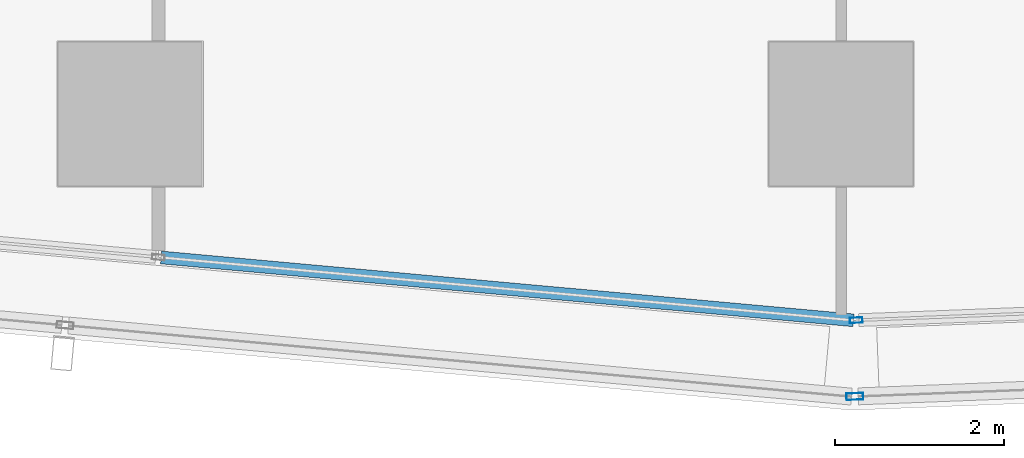
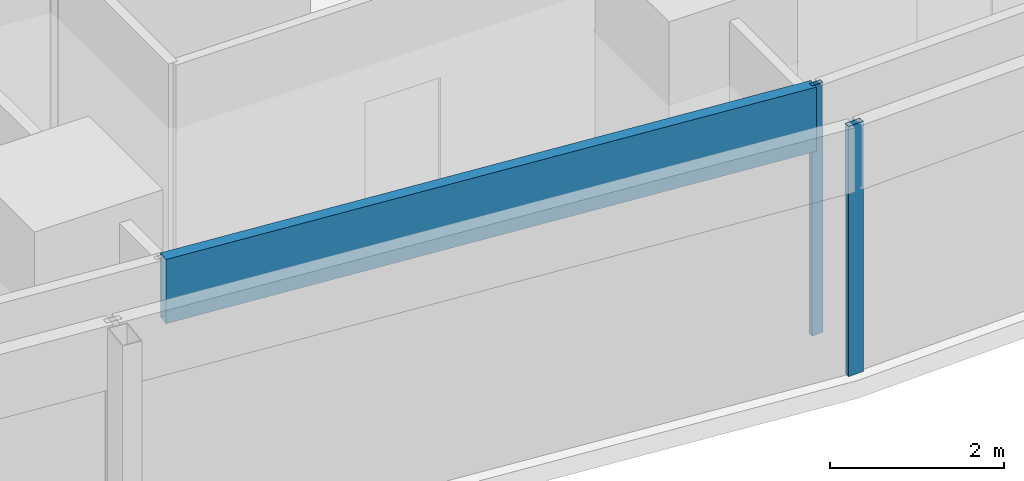
# One storey, part 5 of 40: 3 members, 3 elements without a shape of their own.
"""IFC4 building model written with IfcOpenShell, lengths in metres."""

import ifcopenshell
import ifcopenshell.guid

model = None  # the IFC model being written
_history = None  # IfcOwnerHistory: only IFC2X3 demands one
_inside = {}  # id of a spatial element -> (the spatial element, [elements in it])
_under = {}  # id of a project, library or spatial element -> (it, [spatial elements below it])
_declared = {}  # id of a project -> (the project, [libraries it declares])
_typed = {}  # id of a type object -> (the type object, [elements of that type])
_made_of = {}  # id of a material, layer set ... -> (it, [elements and type objects made of it])


def new_model(schema):
    """Start an empty IFC model of exactly this schema.

    Asked for "IFC4X3", IfcOpenShell would pick the latest addendum, in which some entities
    have other attributes; the version numbers below select the first issue.
    IFC2X3 requires an IfcOwnerHistory on every rooted entity: one is made here for all.
    """
    global model, _history
    if schema == "IFC4X3":
        model = ifcopenshell.file(schema_version=(4, 3, 0, 0))
    else:
        model = ifcopenshell.file(schema=schema)
    _inside.clear()
    _under.clear()
    _declared.clear()
    _typed.clear()
    _made_of.clear()
    _history = None
    if model.schema == "IFC2X3":
        org = make("IfcOrganization", Name="unknown")
        user = make(
            "IfcPersonAndOrganization",
            ThePerson=make("IfcPerson", FamilyName="unknown"),
            TheOrganization=org,
        )
        app = make(
            "IfcApplication",
            ApplicationDeveloper=org,
            Version="unknown",
            ApplicationFullName="unknown",
            ApplicationIdentifier="unknown",
        )
        _history = make(
            "IfcOwnerHistory",
            OwningUser=user,
            OwningApplication=app,
            ChangeAction="ADDED",
            CreationDate=0,
        )
    return model


def make(cls, **values):
    """One entity of the class cls with the attributes given. An attribute that is None is left unset."""
    return model.create_entity(
        cls, **{name: value for name, value in values.items() if value is not None}
    )


def rooted(cls, **values):
    """An entity with a GlobalId (a new one), such as an element, a storey or a relation."""
    return make(cls, GlobalId=ifcopenshell.guid.new(), OwnerHistory=_history, **values)


def si_unit(unit_type, name, prefix=None):
    """IfcSIUnit, for example si_unit("LENGTHUNIT", "METRE", prefix="MILLI")."""
    return make("IfcSIUnit", UnitType=unit_type, Prefix=prefix, Name=name)


def assignment(units):
    """IfcUnitAssignment: the units of a project."""
    return None if units is None else make("IfcUnitAssignment", Units=units)


def point(xyz):
    """IfcCartesianPoint."""
    return None if xyz is None else make("IfcCartesianPoint", Coordinates=xyz)


def direction(xyz):
    """IfcDirection."""
    return None if xyz is None else make("IfcDirection", DirectionRatios=xyz)


def frame(location, z_axis=None, x_axis=None):
    """IfcAxis2Placement3D, a coordinate frame: its origin and axes. An axis left out is left unset."""
    return make(
        "IfcAxis2Placement3D",
        Location=point(location),
        Axis=direction(z_axis),
        RefDirection=direction(x_axis),
    )


def frame_2d(location, x_axis=None):
    """IfcAxis2Placement2D, a coordinate frame in the plane: its origin and x axis."""
    return make(
        "IfcAxis2Placement2D", Location=point(location), RefDirection=direction(x_axis)
    )


def origin():
    """The frame at (0, 0, 0) with its axes left unset."""
    return frame((0.0, 0.0, 0.0))


def origin_2d():
    """The frame at (0, 0) in the plane with its x axis left unset."""
    return frame_2d((0.0, 0.0))


def place(relative_to, where):
    """IfcLocalPlacement: puts the frame where relative to a parent placement (None: the world)."""
    return make(
        "IfcLocalPlacement", PlacementRelTo=relative_to, RelativePlacement=where
    )


def context(
    kind, dimensions, precision=None, world=None, true_north=None, identifier=None
):
    """IfcGeometricRepresentationContext, for example the 3D "Model" context."""
    return make(
        "IfcGeometricRepresentationContext",
        ContextIdentifier=identifier,
        ContextType=kind,
        CoordinateSpaceDimension=dimensions,
        Precision=precision,
        WorldCoordinateSystem=world,
        TrueNorth=true_north,
    )


def subcontext(parent, identifier, kind, view, scale=None):
    """IfcGeometricRepresentationSubContext, for example "Body" below "Model"."""
    return make(
        "IfcGeometricRepresentationSubContext",
        ContextIdentifier=identifier,
        ContextType=kind,
        ParentContext=parent,
        TargetScale=scale,
        TargetView=view,
    )


def project(units=None, contexts=None):
    """IfcProject with its units and contexts."""
    return rooted(
        "IfcProject",
        Name="project",
        RepresentationContexts=contexts,
        UnitsInContext=assignment(units),
    )


def spatial(cls, under=None, at=None, **own):
    """A site, building, storey or space (cls), placed at a placement, below another one or the project."""
    s = rooted(cls, ObjectPlacement=at, **own)
    if under is not None:
        _under.setdefault(under.id(), (under, []))[1].append(s)
    return s


def profile(cls, at=None, kind="AREA", **sizes):
    """A parametric profile (cls). Its sizes go by their IFC names, for example OverallWidth=200.0."""
    return make(cls, ProfileType=kind, Position=at, **sizes)


def hollow_rectangle(**sizes):
    """IfcRectangleHollowProfileDef."""
    return profile("IfcRectangleHollowProfileDef", **sizes)


def extrude(swept, where, along, depth):
    """IfcExtrudedAreaSolid: the profile swept, set in the frame where, extruded along a direction by depth."""
    return make(
        "IfcExtrudedAreaSolid",
        SweptArea=swept,
        Position=where,
        ExtrudedDirection=direction(along),
        Depth=depth,
    )


def shape(context_of_items, identifier, shape_type, items):
    """IfcShapeRepresentation: the items that make up one representation, for example the "Body"."""
    return make(
        "IfcShapeRepresentation",
        ContextOfItems=context_of_items,
        RepresentationIdentifier=identifier,
        RepresentationType=shape_type,
        Items=items,
    )


def material(Name=None, Category=None):
    """IfcMaterial."""
    return make("IfcMaterial", Name=Name, Category=Category)


def material_profile(
    of_material, cross_section, Name=None, Category=None, Priority=None
):
    """IfcMaterialProfile: a cross section and its material."""
    return make(
        "IfcMaterialProfile",
        Name=Name,
        Material=of_material,
        Profile=cross_section,
        Priority=Priority,
        Category=Category,
    )


def profile_set(profiles, Name=None, composite=None):
    """IfcMaterialProfileSet."""
    return make(
        "IfcMaterialProfileSet",
        Name=Name,
        MaterialProfiles=profiles,
        CompositeProfile=composite,
    )


def made_of(thing, what):
    """Note that an element or type object is made of a material, layer set ...; save() writes the relation."""
    if what is not None:
        _made_of.setdefault(what.id(), (what, []))[1].append(thing)
    return thing


def type_object(cls, material=None, **own):
    """A type object (cls), such as IfcWallType, which elements share."""
    return made_of(rooted(cls, **own), material)


def element(
    cls,
    number,
    at=None,
    inside=None,
    cuts=None,
    type_object=None,
    material=None,
    context=None,
    identifier="Body",
    shape_type=None,
    held_by="IfcProductDefinitionShape",
    body=None,
    shapes=None,
    **own,
):
    """One element of the class cls, such as IfcWall. Its Tag is "e" and its number.

    at: its placement. inside: the storey or other place that contains it. cuts: it is an
    opening in that element (IfcRelVoidsElement). A single representation is given by context,
    identifier, shape_type and body (its items); several are given by shapes. held_by: the class
    of the entity that holds the representations. save() writes the other relations.
    """
    e = rooted(cls, Tag="e%d" % number, ObjectPlacement=at, **own)
    if body is not None:
        shapes = [shape(context, identifier, shape_type, body)]
    if shapes is not None:
        e.Representation = make(held_by, Representations=shapes)
    if inside is not None:
        _inside.setdefault(inside.id(), (inside, []))[1].append(e)
    if cuts is not None:
        rooted(
            "IfcRelVoidsElement", RelatingBuildingElement=cuts, RelatedOpeningElement=e
        )
    if type_object is not None:
        _typed.setdefault(type_object.id(), (type_object, []))[1].append(e)
    return made_of(e, material)


def aggregate(whole, parts):
    """IfcRelAggregates: a whole, such as a stair, and the parts it consists of."""
    return rooted("IfcRelAggregates", RelatingObject=whole, RelatedObjects=parts)


def save(model, path):
    """Write the relations noted so far, then the file.

    IfcRelAggregates (storeys below a building ...), IfcRelContainedInSpatialStructure (elements
    in a storey), IfcRelDefinesByType, IfcRelAssociatesMaterial and IfcRelDeclares: one each for
    every whole, place, type object, material and project.
    """
    for whole, parts in _under.values():
        aggregate(whole, parts)
    for where, things in _inside.values():
        rooted(
            "IfcRelContainedInSpatialStructure",
            RelatedElements=things,
            RelatingStructure=where,
        )
    for kind, things in _typed.values():
        rooted("IfcRelDefinesByType", RelatedObjects=things, RelatingType=kind)
    for what, things in _made_of.values():
        rooted("IfcRelAssociatesMaterial", RelatedObjects=things, RelatingMaterial=what)
    for by, libraries in _declared.values():
        rooted("IfcRelDeclares", RelatingContext=by, RelatedDefinitions=libraries)
    model.write(path)


model = new_model("IFC4")

# Units and contexts
model_context = context("Model", 3, precision=1e-05, world=origin(), true_north=direction((0.0, 1.0)))
body_context = subcontext(model_context, "Body", "Model", "MODEL_VIEW")
ifc_project = project(units=[si_unit("LENGTHUNIT", "METRE"), si_unit("AREAUNIT", "SQUARE_METRE"), si_unit("VOLUMEUNIT", "CUBIC_METRE"), si_unit("PLANEANGLEUNIT", "RADIAN"), si_unit("MASSUNIT", "GRAM", prefix="KILO")], contexts=[model_context])

# Site, building, storey
site_placement = place(None, origin())
site = spatial("IfcSite", under=ifc_project, at=site_placement, CompositionType="ELEMENT")
building_placement = place(site_placement, origin())
building = spatial("IfcBuilding", under=site, at=building_placement, Name="Rekha Terrace Tower", CompositionType="ELEMENT")
storey_placement = place(building_placement, frame((0.0, 0.0, 99.050048828125)))
storey = spatial("IfcBuildingStorey", under=building, at=storey_placement, Name="L24", CompositionType="ELEMENT", Elevation=99.050048828125)

# Curtain wall, member
ifc_material_1 = material(Name="Aluminium framing", Category="aluminium")
curtain_wall_type_1 = type_object("IfcCurtainWallType", Name="CW1 double skin inner glazing", PredefinedType="USERDEFINED", material=ifc_material_1)
curtain_wall_1_placement = place(storey_placement, origin())
curtain_wall_1 = element("IfcCurtainWall", 1, at=curtain_wall_1_placement, inside=storey, type_object=curtain_wall_type_1, Name="CW1 double skin inner glazing", ObjectType="DOUBLE SKIN INNER GLAZING", PredefinedType="USERDEFINED")
ifc_material_2 = material(Name="Aluminium mullion section", Category="aluminium")
ifc_material_profile_1 = material_profile(ifc_material_2, hollow_rectangle(XDim=0.06494140625, YDim=0.14990234375, WallThickness=0.00390625, at=origin_2d()), Name="AL RHS 65x150")
ifc_profile_set_1 = profile_set([ifc_material_profile_1], Name="Aluminium mullion section")
member_type_1 = type_object("IfcMemberType", Name="CW1 mullion RHS 65 x 150", PredefinedType="MULLION", material=ifc_profile_set_1)
member_1_placement = place(storey_placement, frame((25.3798828125, 14.363037109375, 0.0), z_axis=(0.0, 0.0, 1.0), x_axis=(-0.038889971345, 0.999243498917, 0.0)))
member_1 = element("IfcMember", 2, at=member_1_placement, type_object=member_type_1, Name="CW1 mullion 1", PredefinedType="MULLION", context=body_context, shape_type="SweptSolid", body=[
    extrude(hollow_rectangle(XDim=0.06494140625, YDim=0.14990234375, WallThickness=0.00390625, at=origin_2d()), origin(), (0.0, 0.0, 1.0), 3.5),
])
aggregate(curtain_wall_1, [member_1])

curtain_wall_2_placement = place(storey_placement, origin())
curtain_wall_2 = element("IfcCurtainWall", 3, at=curtain_wall_2_placement, inside=storey, type_object=curtain_wall_type_1, Name="CW1 double skin inner glazing", ObjectType="DOUBLE SKIN INNER GLAZING", PredefinedType="USERDEFINED")
ifc_material_3 = material(Name="Insulated aluminium spandrel box", Category="aluminium")
ifc_material_profile_2 = material_profile(ifc_material_3, hollow_rectangle(XDim=0.14990234375, YDim=0.89990234375, WallThickness=0.0029296875, at=origin_2d()), Name="AL SPANDREL BOX 150x900")
ifc_profile_set_2 = profile_set([ifc_material_profile_2], Name="Insulated aluminium spandrel box")
member_type_2 = type_object("IfcMemberType", Name="CW1 spandrel transom 150 x 900", PredefinedType="USERDEFINED", material=ifc_profile_set_2)
member_2_placement = place(storey_placement, frame((17.16650390625, 15.104736328125, 3.050048828125), z_axis=(0.995901971759, -0.090439276017, 0.0), x_axis=(0.090439276017, 0.995901971759, 0.0)))
member_2 = element("IfcMember", 4, at=member_2_placement, type_object=member_type_2, Name="CW1 spandrel transom 2", ObjectType="TRANSOM", PredefinedType="USERDEFINED", context=body_context, shape_type="SweptSolid", body=[
    extrude(hollow_rectangle(XDim=0.14990234375, YDim=0.89990234375, WallThickness=0.0029296875, at=origin_2d()), origin(), (0.0, 0.0, 1.0), 8.214599609375),
])
aggregate(curtain_wall_2, [member_2])

curtain_wall_type_2 = type_object("IfcCurtainWallType", Name="CW2 double skin outer glazing", PredefinedType="USERDEFINED", material=ifc_material_1)
curtain_wall_3_placement = place(storey_placement, origin())
curtain_wall_3 = element("IfcCurtainWall", 5, at=curtain_wall_3_placement, inside=storey, type_object=curtain_wall_type_2, Name="CW2 double skin outer glazing", ObjectType="DOUBLE SKIN OUTER GLAZING", PredefinedType="USERDEFINED")
ifc_material_profile_3 = material_profile(ifc_material_2, hollow_rectangle(XDim=0.080078125, YDim=0.199951171875, WallThickness=0.00390625, at=origin_2d()), Name="AL RHS 80x200")
ifc_profile_set_3 = profile_set([ifc_material_profile_3], Name="Aluminium mullion section")
member_type_3 = type_object("IfcMemberType", Name="CW2 mullion RHS 80 x 200", PredefinedType="MULLION", material=ifc_profile_set_3)
member_3_placement = place(storey_placement, frame((25.364013671875, 13.4619140625, 0.0), z_axis=(0.0, 0.0, 1.0), x_axis=(-0.038889971345, 0.999243498917, 0.0)))
member_3 = element("IfcMember", 6, at=member_3_placement, type_object=member_type_3, Name="CW2 mullion 1", PredefinedType="MULLION", context=body_context, shape_type="SweptSolid", body=[
    extrude(hollow_rectangle(XDim=0.080078125, YDim=0.199951171875, WallThickness=0.00390625, at=origin_2d()), origin(), (0.0, 0.0, 1.0), 3.5),
])
aggregate(curtain_wall_3, [member_3])

save(model, "model.ifc")
